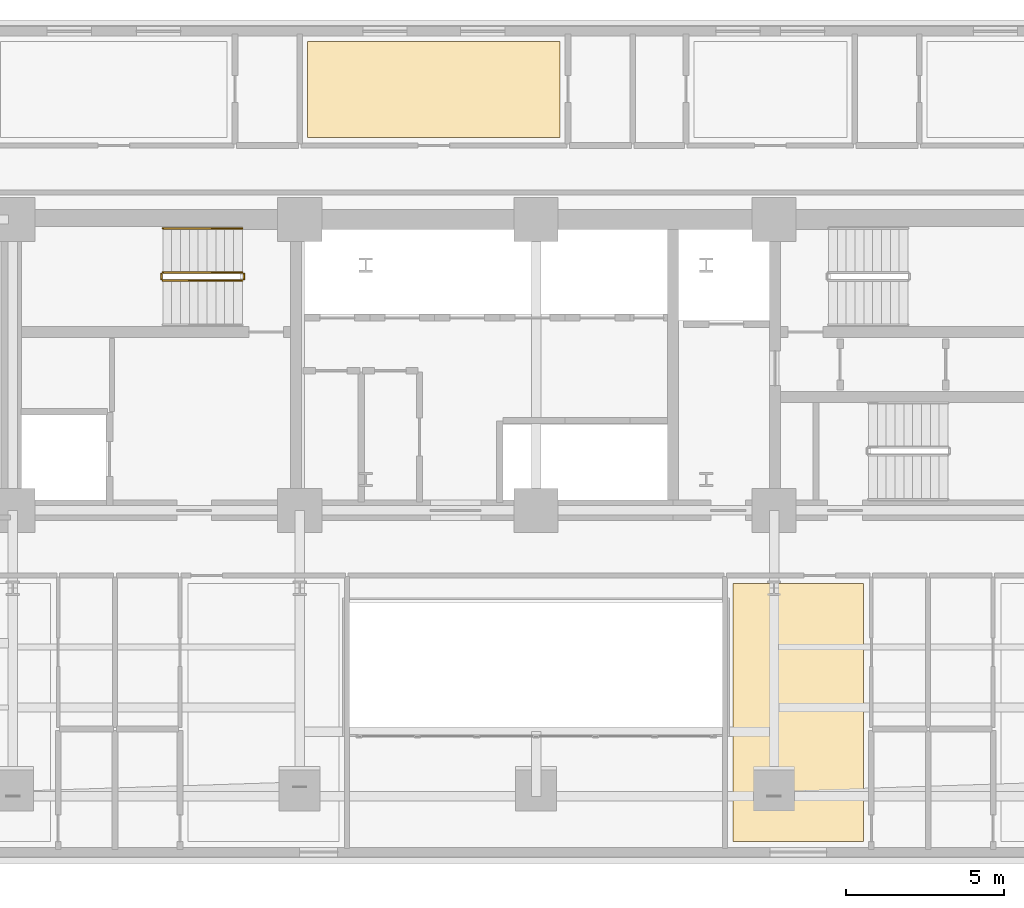
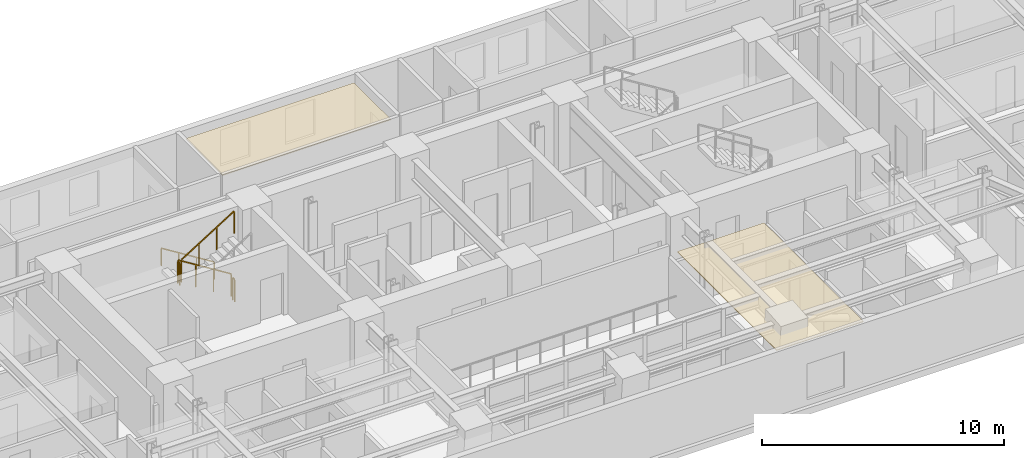
# One storey, part 15 of 16: 5 railings, 2 coverings.
"""IFC4 building model written with IfcOpenShell, lengths in metres."""

from ifc_helpers import new_model, si_unit, direction, frame, origin, origin_2d, place, context, subcontext, project, spatial, polyline, rectangle, outline, extrude, material, layer, layer_set, type_object, element, save


model = new_model("IFC4")

# Units and contexts
model_context = context("Model", 3, precision=1e-05, world=origin(), true_north=direction((0.0, 1.0)))
body_context = subcontext(model_context, "Body", "Model", "MODEL_VIEW")
ifc_project = project(units=[si_unit("LENGTHUNIT", "METRE"), si_unit("AREAUNIT", "SQUARE_METRE"), si_unit("VOLUMEUNIT", "CUBIC_METRE"), si_unit("PLANEANGLEUNIT", "RADIAN"), si_unit("MASSUNIT", "GRAM", prefix="KILO")], contexts=[model_context])

# Site, building, storey
site_placement = place(None, origin())
site = spatial("IfcSite", under=ifc_project, at=site_placement, CompositionType="ELEMENT")
building_placement = place(site_placement, origin())
building = spatial("IfcBuilding", under=site, at=building_placement, Name="Zarnavel Station Tower", CompositionType="ELEMENT")
storey_placement = place(building_placement, frame((0.0, 0.0, 79.300048828125)))
storey = spatial("IfcBuildingStorey", under=building, at=storey_placement, Name="L21", CompositionType="ELEMENT", Elevation=79.300048828125)

# Coverings
ifc_material_1 = material(Name="Perforated Gypsum and Mineral-Wool Acoustic Ceiling", Category="concrete")
ifc_layer = layer(ifc_material_1, 0.0400390625)
ifc_layer_set = layer_set([ifc_layer], Name="COV_CEIL_ACOUSTIC")
covering_type = type_object("IfcCoveringType", Name="COV_CEIL_ACOUSTIC", PredefinedType="CEILING", material=ifc_layer_set)
covering_1_placement = place(storey_placement, frame((0.0, 0.0, 2.919921875)))
element("IfcCovering", 1, at=covering_1_placement, inside=storey, type_object=covering_type, Name="L21 HN2R Acoustic Ceiling", PredefinedType="CEILING", context=body_context, shape_type="SweptSolid", body=[
    extrude(outline(polyline([(21.550048828125, 39.64990234375), (29.56494140625, 39.64990234375), (29.56494140625, 42.68994140625), (21.550048828125, 42.68994140625), (21.550048828125, 39.64990234375)])), origin(), (0.0, 0.0, 1.0), 0.0400390625),
])
covering_2_placement = place(storey_placement, frame((0.0, 0.0, 2.919921875)))
element("IfcCovering", 2, at=covering_2_placement, inside=storey, type_object=covering_type, Name="L21 HE1R Acoustic Ceiling", PredefinedType="CEILING", context=body_context, shape_type="SweptSolid", body=[
    extrude(outline(polyline([(35.050048828125, 17.31005859375), (39.18701171875, 17.31005859375), (39.18701171875, 25.5), (35.050048828125, 25.5), (35.050048828125, 17.31005859375)])), origin(), (0.0, 0.0, 1.0), 0.0400390625),
])

# Railings
ifc_material_2 = material(Name="Painted Steel S355J2 Balustrade", Category="steel")
railing_type_1 = type_object("IfcRailingType", Name="GR_INT_1150", PredefinedType="GUARDRAIL", material=ifc_material_2)
railing_1_placement = place(storey_placement, frame((19.47998046875, 35.3701171875, 0.175048828125)))
element("IfcRailing", 3, at=railing_1_placement, inside=storey, type_object=railing_type_1, Name="L21 ST1 stair guard 1", PredefinedType="GUARDRAIL", context=body_context, shape_type="SweptSolid", body=[
    extrude(rectangle(XDim=0.048095703125, YDim=0.048095703125, at=origin_2d()), frame((-0.001708984375, 0.0, 1.126953125), z_axis=(-0.848007534815, 0.0, 0.529984170421), x_axis=(0.0, -1.0, 0.0)), (0.0, 0.0, 1.0), 2.9677734375),
    extrude(rectangle(XDim=0.0419921875, YDim=0.0419921875, at=origin_2d()), origin(), (0.0, 0.0, 1.0), 1.101806640625),
    extrude(rectangle(XDim=0.0419921875, YDim=0.0419921875, at=origin_2d()), frame((-0.840087890625, 0.0, 0.52490234375)), (0.0, 0.0, 1.0), 1.101806640625),
    extrude(rectangle(XDim=0.0419921875, YDim=0.0419921875, at=origin_2d()), frame((-1.679931640625, 0.0, 1.050048828125)), (0.0, 0.0, 1.0), 1.101806640625),
    extrude(rectangle(XDim=0.0419921875, YDim=0.0419921875, at=origin_2d()), frame((-2.52001953125, 0.0, 1.574951171875)), (0.0, 0.0, 1.0), 1.101806640625),
])
railing_2_placement = place(storey_placement, frame((16.909912109375, 35.320068359375, 1.75)))
element("IfcRailing", 4, at=railing_2_placement, inside=storey, type_object=railing_type_1, Name="L21 ST1 stair guard 2", PredefinedType="GUARDRAIL", context=body_context, shape_type="SweptSolid", body=[
    extrude(rectangle(XDim=0.048095703125, YDim=0.048095703125, at=origin_2d()), frame((0.0, -0.001953125, 1.1259765625), z_axis=(0.0, -1.0, 0.0), x_axis=(1.0, 0.0, 0.0)), (0.0, 0.0, 1.0), 0.15625),
    extrude(rectangle(XDim=0.0419921875, YDim=0.0419921875, at=origin_2d()), origin(), (0.0, 0.0, 1.0), 1.101806640625),
    extrude(rectangle(XDim=0.0419921875, YDim=0.0419921875, at=origin_2d()), frame((0.0, -0.16015625, 0.0)), (0.0, 0.0, 1.0), 1.101806640625),
])
railing_3_placement = place(storey_placement, frame((16.9599609375, 35.110107421875, 1.925048828125)))
element("IfcRailing", 5, at=railing_3_placement, inside=storey, type_object=railing_type_1, Name="L21 ST1 stair guard 3", PredefinedType="GUARDRAIL", context=body_context, shape_type="SweptSolid", body=[
    extrude(rectangle(XDim=0.048095703125, YDim=0.048095703125, at=origin_2d()), frame((0.001708984375, 0.0, 1.126953125), z_axis=(0.848007534815, 0.0, 0.529984170421), x_axis=(0.0, 1.0, 0.0)), (0.0, 0.0, 1.0), 2.9677734375),
    extrude(rectangle(XDim=0.0419921875, YDim=0.0419921875, at=origin_2d()), origin(), (0.0, 0.0, 1.0), 1.101806640625),
    extrude(rectangle(XDim=0.0419921875, YDim=0.0419921875, at=origin_2d()), frame((0.840087890625, 0.0, 0.52490234375)), (0.0, 0.0, 1.0), 1.101806640625),
    extrude(rectangle(XDim=0.0419921875, YDim=0.0419921875, at=origin_2d()), frame((1.679931640625, 0.0, 1.050048828125)), (0.0, 0.0, 1.0), 1.101806640625),
    extrude(rectangle(XDim=0.0419921875, YDim=0.0419921875, at=origin_2d()), frame((2.52001953125, 0.0, 1.574951171875)), (0.0, 0.0, 1.0), 1.101806640625),
])
railing_4_placement = place(storey_placement, frame((19.530029296875, 35.320068359375, 0.0)))
element("IfcRailing", 6, at=railing_4_placement, inside=storey, type_object=railing_type_1, Name="L21 ST1 stair guard 4", PredefinedType="GUARDRAIL", context=body_context, shape_type="SweptSolid", body=[
    extrude(rectangle(XDim=0.048095703125, YDim=0.048095703125, at=origin_2d()), frame((0.0, -0.001953125, 1.1259765625), z_axis=(0.0, -1.0, 0.0), x_axis=(1.0, 0.0, 0.0)), (0.0, 0.0, 1.0), 0.15625),
    extrude(rectangle(XDim=0.0419921875, YDim=0.0419921875, at=origin_2d()), origin(), (0.0, 0.0, 1.0), 1.101806640625),
    extrude(rectangle(XDim=0.0419921875, YDim=0.0419921875, at=origin_2d()), frame((0.0, -0.16015625, 0.0)), (0.0, 0.0, 1.0), 1.101806640625),
])
ifc_material_3 = material(Name="Brushed Stainless Steel S355J2 Handrail", Category="steel")
railing_type_2 = type_object("IfcRailingType", Name="HR_STAIR_900", PredefinedType="HANDRAIL", material=ifc_material_3)
railing_5_placement = place(storey_placement, frame((19.47998046875, 36.77001953125, 0.175048828125)))
element("IfcRailing", 7, at=railing_5_placement, inside=storey, type_object=railing_type_2, Name="L21 ST1 stair handrail 1", PredefinedType="HANDRAIL", context=body_context, shape_type="SweptSolid", body=[
    extrude(rectangle(XDim=0.048095703125, YDim=0.048095703125, at=origin_2d()), frame((-0.001708984375, 0.0, 0.876953125), z_axis=(-0.848007534815, 0.0, 0.529984170421), x_axis=(0.0, -1.0, 0.0)), (0.0, 0.0, 1.0), 2.9677734375),
    extrude(rectangle(XDim=0.0419921875, YDim=0.0419921875, at=origin_2d()), origin(), (0.0, 0.0, 1.0), 0.851806640625),
    extrude(rectangle(XDim=0.0419921875, YDim=0.0419921875, at=origin_2d()), frame((-0.840087890625, 0.0, 0.52490234375)), (0.0, 0.0, 1.0), 0.851806640625),
    extrude(rectangle(XDim=0.0419921875, YDim=0.0419921875, at=origin_2d()), frame((-1.679931640625, 0.0, 1.050048828125)), (0.0, 0.0, 1.0), 0.851806640625),
    extrude(rectangle(XDim=0.0419921875, YDim=0.0419921875, at=origin_2d()), frame((-2.52001953125, 0.0, 1.574951171875)), (0.0, 0.0, 1.0), 0.851806640625),
])

save(model, "model.ifc")
